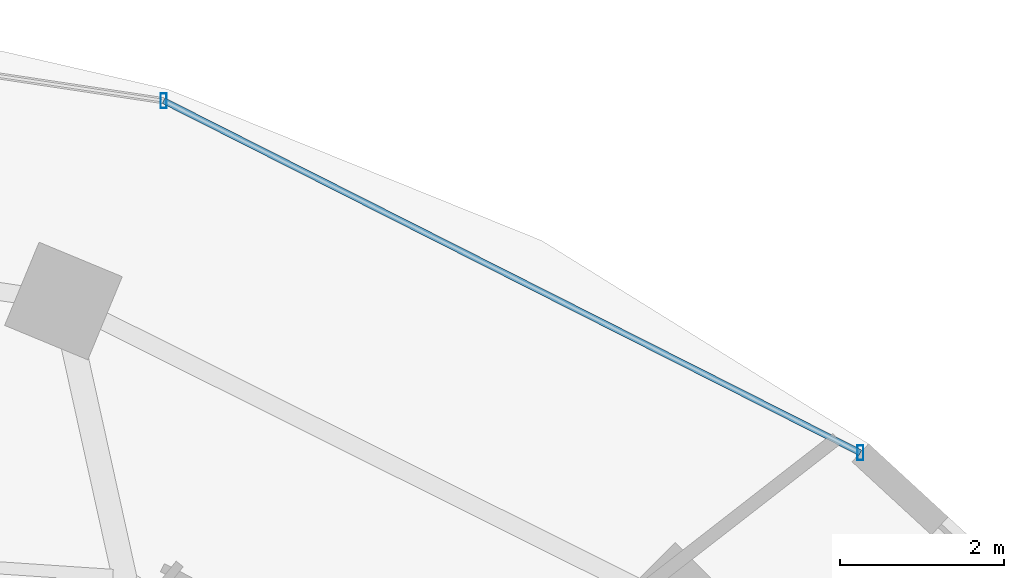
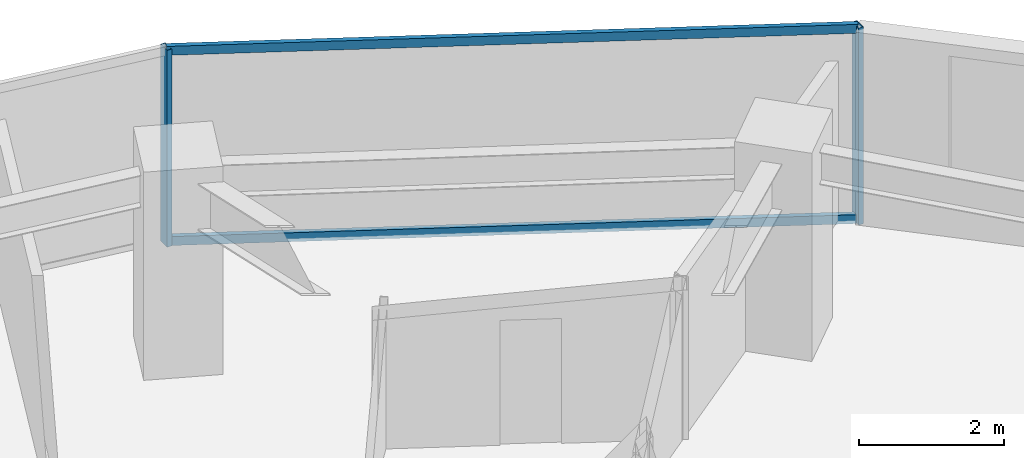
# One storey, part 20 of 30: 4 members, 1 element without a shape of its own.
"""IFC4 building model written with IfcOpenShell, lengths in metres."""

import ifcopenshell
import ifcopenshell.guid

model = None  # the IFC model being written
_history = None  # IfcOwnerHistory: only IFC2X3 demands one
_inside = {}  # id of a spatial element -> (the spatial element, [elements in it])
_under = {}  # id of a project, library or spatial element -> (it, [spatial elements below it])
_declared = {}  # id of a project -> (the project, [libraries it declares])
_typed = {}  # id of a type object -> (the type object, [elements of that type])
_made_of = {}  # id of a material, layer set ... -> (it, [elements and type objects made of it])


def new_model(schema):
    """Start an empty IFC model of exactly this schema.

    Asked for "IFC4X3", IfcOpenShell would pick the latest addendum, in which some entities
    have other attributes; the version numbers below select the first issue.
    IFC2X3 requires an IfcOwnerHistory on every rooted entity: one is made here for all.
    """
    global model, _history
    if schema == "IFC4X3":
        model = ifcopenshell.file(schema_version=(4, 3, 0, 0))
    else:
        model = ifcopenshell.file(schema=schema)
    _inside.clear()
    _under.clear()
    _declared.clear()
    _typed.clear()
    _made_of.clear()
    _history = None
    if model.schema == "IFC2X3":
        org = make("IfcOrganization", Name="unknown")
        user = make(
            "IfcPersonAndOrganization",
            ThePerson=make("IfcPerson", FamilyName="unknown"),
            TheOrganization=org,
        )
        app = make(
            "IfcApplication",
            ApplicationDeveloper=org,
            Version="unknown",
            ApplicationFullName="unknown",
            ApplicationIdentifier="unknown",
        )
        _history = make(
            "IfcOwnerHistory",
            OwningUser=user,
            OwningApplication=app,
            ChangeAction="ADDED",
            CreationDate=0,
        )
    return model


def make(cls, **values):
    """One entity of the class cls with the attributes given. An attribute that is None is left unset."""
    return model.create_entity(
        cls, **{name: value for name, value in values.items() if value is not None}
    )


def rooted(cls, **values):
    """An entity with a GlobalId (a new one), such as an element, a storey or a relation."""
    return make(cls, GlobalId=ifcopenshell.guid.new(), OwnerHistory=_history, **values)


def si_unit(unit_type, name, prefix=None):
    """IfcSIUnit, for example si_unit("LENGTHUNIT", "METRE", prefix="MILLI")."""
    return make("IfcSIUnit", UnitType=unit_type, Prefix=prefix, Name=name)


def assignment(units):
    """IfcUnitAssignment: the units of a project."""
    return None if units is None else make("IfcUnitAssignment", Units=units)


def point(xyz):
    """IfcCartesianPoint."""
    return None if xyz is None else make("IfcCartesianPoint", Coordinates=xyz)


def direction(xyz):
    """IfcDirection."""
    return None if xyz is None else make("IfcDirection", DirectionRatios=xyz)


def frame(location, z_axis=None, x_axis=None):
    """IfcAxis2Placement3D, a coordinate frame: its origin and axes. An axis left out is left unset."""
    return make(
        "IfcAxis2Placement3D",
        Location=point(location),
        Axis=direction(z_axis),
        RefDirection=direction(x_axis),
    )


def frame_2d(location, x_axis=None):
    """IfcAxis2Placement2D, a coordinate frame in the plane: its origin and x axis."""
    return make(
        "IfcAxis2Placement2D", Location=point(location), RefDirection=direction(x_axis)
    )


def origin():
    """The frame at (0, 0, 0) with its axes left unset."""
    return frame((0.0, 0.0, 0.0))


def origin_2d():
    """The frame at (0, 0) in the plane with its x axis left unset."""
    return frame_2d((0.0, 0.0))


def place(relative_to, where):
    """IfcLocalPlacement: puts the frame where relative to a parent placement (None: the world)."""
    return make(
        "IfcLocalPlacement", PlacementRelTo=relative_to, RelativePlacement=where
    )


def context(
    kind, dimensions, precision=None, world=None, true_north=None, identifier=None
):
    """IfcGeometricRepresentationContext, for example the 3D "Model" context."""
    return make(
        "IfcGeometricRepresentationContext",
        ContextIdentifier=identifier,
        ContextType=kind,
        CoordinateSpaceDimension=dimensions,
        Precision=precision,
        WorldCoordinateSystem=world,
        TrueNorth=true_north,
    )


def subcontext(parent, identifier, kind, view, scale=None):
    """IfcGeometricRepresentationSubContext, for example "Body" below "Model"."""
    return make(
        "IfcGeometricRepresentationSubContext",
        ContextIdentifier=identifier,
        ContextType=kind,
        ParentContext=parent,
        TargetScale=scale,
        TargetView=view,
    )


def project(units=None, contexts=None):
    """IfcProject with its units and contexts."""
    return rooted(
        "IfcProject",
        Name="project",
        RepresentationContexts=contexts,
        UnitsInContext=assignment(units),
    )


def spatial(cls, under=None, at=None, **own):
    """A site, building, storey or space (cls), placed at a placement, below another one or the project."""
    s = rooted(cls, ObjectPlacement=at, **own)
    if under is not None:
        _under.setdefault(under.id(), (under, []))[1].append(s)
    return s


def profile(cls, at=None, kind="AREA", **sizes):
    """A parametric profile (cls). Its sizes go by their IFC names, for example OverallWidth=200.0."""
    return make(cls, ProfileType=kind, Position=at, **sizes)


def hollow_rectangle(**sizes):
    """IfcRectangleHollowProfileDef."""
    return profile("IfcRectangleHollowProfileDef", **sizes)


def extrude(swept, where, along, depth):
    """IfcExtrudedAreaSolid: the profile swept, set in the frame where, extruded along a direction by depth."""
    return make(
        "IfcExtrudedAreaSolid",
        SweptArea=swept,
        Position=where,
        ExtrudedDirection=direction(along),
        Depth=depth,
    )


def shape(context_of_items, identifier, shape_type, items):
    """IfcShapeRepresentation: the items that make up one representation, for example the "Body"."""
    return make(
        "IfcShapeRepresentation",
        ContextOfItems=context_of_items,
        RepresentationIdentifier=identifier,
        RepresentationType=shape_type,
        Items=items,
    )


def material(Name=None, Category=None):
    """IfcMaterial."""
    return make("IfcMaterial", Name=Name, Category=Category)


def material_profile(
    of_material, cross_section, Name=None, Category=None, Priority=None
):
    """IfcMaterialProfile: a cross section and its material."""
    return make(
        "IfcMaterialProfile",
        Name=Name,
        Material=of_material,
        Profile=cross_section,
        Priority=Priority,
        Category=Category,
    )


def profile_set(profiles, Name=None, composite=None):
    """IfcMaterialProfileSet."""
    return make(
        "IfcMaterialProfileSet",
        Name=Name,
        MaterialProfiles=profiles,
        CompositeProfile=composite,
    )


def made_of(thing, what):
    """Note that an element or type object is made of a material, layer set ...; save() writes the relation."""
    if what is not None:
        _made_of.setdefault(what.id(), (what, []))[1].append(thing)
    return thing


def type_object(cls, material=None, **own):
    """A type object (cls), such as IfcWallType, which elements share."""
    return made_of(rooted(cls, **own), material)


def element(
    cls,
    number,
    at=None,
    inside=None,
    cuts=None,
    type_object=None,
    material=None,
    context=None,
    identifier="Body",
    shape_type=None,
    held_by="IfcProductDefinitionShape",
    body=None,
    shapes=None,
    **own,
):
    """One element of the class cls, such as IfcWall. Its Tag is "e" and its number.

    at: its placement. inside: the storey or other place that contains it. cuts: it is an
    opening in that element (IfcRelVoidsElement). A single representation is given by context,
    identifier, shape_type and body (its items); several are given by shapes. held_by: the class
    of the entity that holds the representations. save() writes the other relations.
    """
    e = rooted(cls, Tag="e%d" % number, ObjectPlacement=at, **own)
    if body is not None:
        shapes = [shape(context, identifier, shape_type, body)]
    if shapes is not None:
        e.Representation = make(held_by, Representations=shapes)
    if inside is not None:
        _inside.setdefault(inside.id(), (inside, []))[1].append(e)
    if cuts is not None:
        rooted(
            "IfcRelVoidsElement", RelatingBuildingElement=cuts, RelatedOpeningElement=e
        )
    if type_object is not None:
        _typed.setdefault(type_object.id(), (type_object, []))[1].append(e)
    return made_of(e, material)


def aggregate(whole, parts):
    """IfcRelAggregates: a whole, such as a stair, and the parts it consists of."""
    return rooted("IfcRelAggregates", RelatingObject=whole, RelatedObjects=parts)


def save(model, path):
    """Write the relations noted so far, then the file.

    IfcRelAggregates (storeys below a building ...), IfcRelContainedInSpatialStructure (elements
    in a storey), IfcRelDefinesByType, IfcRelAssociatesMaterial and IfcRelDeclares: one each for
    every whole, place, type object, material and project.
    """
    for whole, parts in _under.values():
        aggregate(whole, parts)
    for where, things in _inside.values():
        rooted(
            "IfcRelContainedInSpatialStructure",
            RelatedElements=things,
            RelatingStructure=where,
        )
    for kind, things in _typed.values():
        rooted("IfcRelDefinesByType", RelatedObjects=things, RelatingType=kind)
    for what, things in _made_of.values():
        rooted("IfcRelAssociatesMaterial", RelatedObjects=things, RelatingMaterial=what)
    for by, libraries in _declared.values():
        rooted("IfcRelDeclares", RelatingContext=by, RelatedDefinitions=libraries)
    model.write(path)


model = new_model("IFC4")

# Units and contexts
model_context = context("Model", 3, precision=1e-05, world=origin(), true_north=direction((0.0, 1.0)))
body_context = subcontext(model_context, "Body", "Model", "MODEL_VIEW")
ifc_project = project(units=[si_unit("LENGTHUNIT", "METRE"), si_unit("AREAUNIT", "SQUARE_METRE"), si_unit("VOLUMEUNIT", "CUBIC_METRE"), si_unit("PLANEANGLEUNIT", "RADIAN"), si_unit("MASSUNIT", "GRAM", prefix="KILO")], contexts=[model_context])

# Site, building, storey
site_placement = place(None, origin())
site = spatial("IfcSite", under=ifc_project, at=site_placement, CompositionType="ELEMENT")
building_placement = place(site_placement, origin())
building = spatial("IfcBuilding", under=site, at=building_placement, Name="Vorneva Point Tower", CompositionType="ELEMENT")
storey_placement = place(building_placement, frame((0.0, 0.0, 96.300048828125)))
storey = spatial("IfcBuildingStorey", under=building, at=storey_placement, Name="L25", CompositionType="ELEMENT", Elevation=96.300048828125)

# Curtain wall, members
ifc_material = material(Name="Pale anodised aluminium", Category="aluminium")
curtain_wall_type = type_object("IfcCurtainWallType", Name="CW-HTL-SYS", PredefinedType="NOTDEFINED", material=ifc_material)
curtain_wall_placement = place(storey_placement, origin())
curtain_wall = element("IfcCurtainWall", 1, at=curtain_wall_placement, inside=storey, type_object=curtain_wall_type, Name="L25 Unitised Curtain Wall CW-L25-R02", PredefinedType="NOTDEFINED")
ifc_material_profile_1 = material_profile(ifc_material, hollow_rectangle(XDim=0.074951171875, YDim=0.179931640625, WallThickness=0.00390625, at=origin_2d()), Name="AL-MUL 180x75x4")
ifc_profile_set_1 = profile_set([ifc_material_profile_1], Name="Pale anodised aluminium")
member_type_1 = type_object("IfcMemberType", Name="CW-MUL-180", PredefinedType="MULLION", material=ifc_profile_set_1)
member_1_placement = place(storey_placement, frame((56.5615234375, 40.0361328125, -0.0400390625), z_axis=(0.0, 0.0, 1.0), x_axis=(1.0, 0.0, 0.0)))
member_1 = element("IfcMember", 2, at=member_1_placement, type_object=member_type_1, Name="CW-L25-R02 Mullion 01", PredefinedType="MULLION", context=body_context, shape_type="SweptSolid", body=[
    extrude(hollow_rectangle(XDim=0.074951171875, YDim=0.179931640625, WallThickness=0.00390625, at=origin_2d()), origin(), (0.0, 0.0, 1.0), 3.31005859375),
])
member_2_placement = place(storey_placement, frame((48.04541015625, 44.339111328125, -0.0400390625), z_axis=(0.0, 0.0, 1.0), x_axis=(1.0, 0.0, 0.0)))
member_2 = element("IfcMember", 3, at=member_2_placement, type_object=member_type_1, Name="CW-L25-R02 Mullion 02", PredefinedType="MULLION", context=body_context, shape_type="SweptSolid", body=[
    extrude(hollow_rectangle(XDim=0.074951171875, YDim=0.179931640625, WallThickness=0.00390625, at=origin_2d()), origin(), (0.0, 0.0, 1.0), 3.31005859375),
])
ifc_material_profile_2 = material_profile(ifc_material, hollow_rectangle(XDim=0.074951171875, YDim=0.14990234375, WallThickness=0.00390625, at=origin_2d()), Name="AL-TRN 150x75x4")
ifc_profile_set_2 = profile_set([ifc_material_profile_2], Name="Pale anodised aluminium")
member_type_2 = type_object("IfcMemberType", Name="CW-TRN-150", PredefinedType="USERDEFINED", material=ifc_profile_set_2)
member_3_placement = place(storey_placement, frame((56.5615234375, 40.0361328125, 0.02001953125), z_axis=(-0.892536035732, 0.450976080207, 0.0), x_axis=(-0.450976080207, -0.892536035732, 0.0)))
member_3 = element("IfcMember", 4, at=member_3_placement, type_object=member_type_2, Name="CW-L25-R02 Transom 01.1", ObjectType="TRANSOM", PredefinedType="USERDEFINED", context=body_context, shape_type="SweptSolid", body=[
    extrude(hollow_rectangle(XDim=0.074951171875, YDim=0.14990234375, WallThickness=0.00390625, at=origin_2d()), origin(), (0.0, 0.0, 1.0), 9.54150390625),
])
member_4_placement = place(storey_placement, frame((56.5615234375, 40.0361328125, 3.219970703125), z_axis=(-0.892536035732, 0.450976080207, 0.0), x_axis=(-0.450976080207, -0.892536035732, 0.0)))
member_4 = element("IfcMember", 5, at=member_4_placement, type_object=member_type_2, Name="CW-L25-R02 Transom 01.2", ObjectType="TRANSOM", PredefinedType="USERDEFINED", context=body_context, shape_type="SweptSolid", body=[
    extrude(hollow_rectangle(XDim=0.074951171875, YDim=0.14990234375, WallThickness=0.00390625, at=origin_2d()), origin(), (0.0, 0.0, 1.0), 9.54150390625),
])
aggregate(curtain_wall, [member_1, member_2, member_3, member_4])

save(model, "model.ifc")
